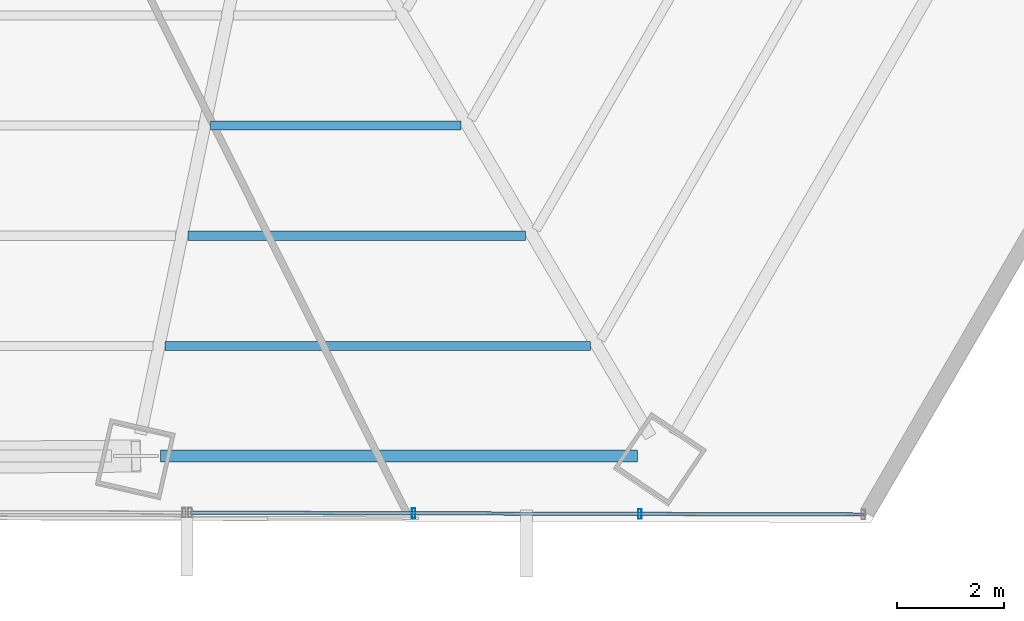
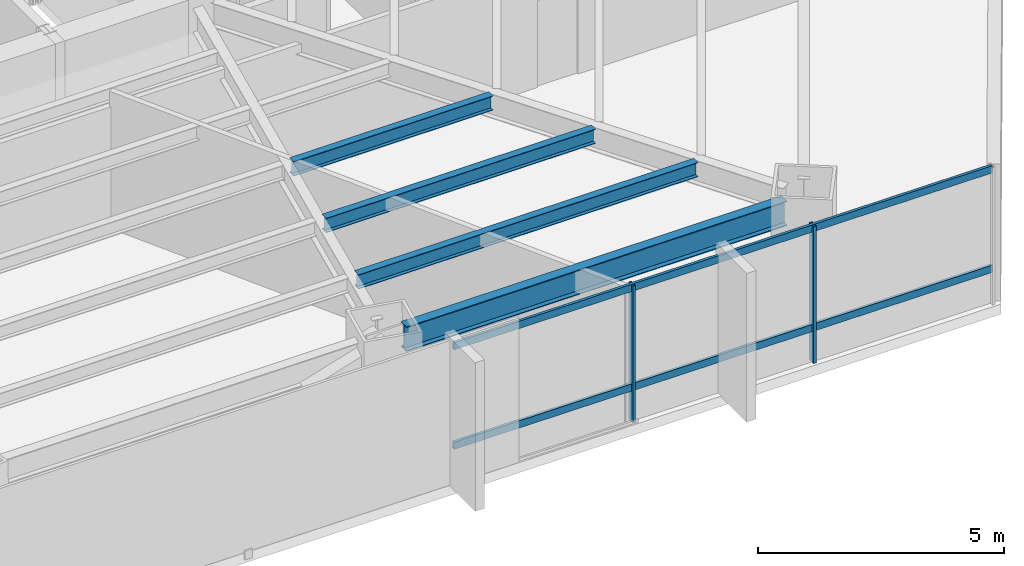
# One storey, part 12 of 33: 4 beams, 4 members, 1 element without a shape of its own.
"""IFC4 building model written with IfcOpenShell, lengths in metres."""

from ifc_helpers import new_model, si_unit, direction, frame, origin, origin_2d, place, context, subcontext, project, spatial, hollow_rectangle, i_section, extrude, source, transform, mapped, material, material_profile, profile_set, type_object, type_shapes, element, aggregate, save


model = new_model("IFC4")

# Units and contexts
model_context = context("Model", 3, precision=1e-05, world=origin(), true_north=direction((0.0, 1.0)))
body_context = subcontext(model_context, "Body", "Model", "MODEL_VIEW")
ifc_project = project(units=[si_unit("LENGTHUNIT", "METRE"), si_unit("AREAUNIT", "SQUARE_METRE"), si_unit("VOLUMEUNIT", "CUBIC_METRE"), si_unit("PLANEANGLEUNIT", "RADIAN"), si_unit("MASSUNIT", "GRAM", prefix="KILO")], contexts=[model_context])

# Site, building, storey
site_placement = place(None, origin())
site = spatial("IfcSite", under=ifc_project, at=site_placement, CompositionType="ELEMENT")
building_placement = place(site_placement, origin())
building = spatial("IfcBuilding", under=site, at=building_placement, Name="Caelisora Broadcast Tower", CompositionType="ELEMENT")
storey_placement = place(building_placement, frame((0.0, 0.0, 34.89990234375)))
storey = spatial("IfcBuildingStorey", under=building, at=storey_placement, Name="L08", CompositionType="ELEMENT", Elevation=34.89990234375)

# Beams
ifc_material_1 = material(Name="Steel Grade 350 (AS/NZS 3679.1)", Category="steel")
ifc_material_profile_1 = material_profile(ifc_material_1, i_section(OverallWidth=0.22900390625, OverallDepth=0.611572265625, WebThickness=0.011962890625, FlangeThickness=0.01953125, at=origin_2d()), Name="Steel Grade 350 (AS/NZS 3679.1)")
ifc_profile_set_1 = profile_set([ifc_material_profile_1], Name="Steel Grade 350 (AS/NZS 3679.1)")
beam_type_1 = type_object("IfcBeamType", Name="PG03", PredefinedType="BEAM", material=ifc_profile_set_1)
shared_shape_1 = source(origin(), body_context, "Body", "SweptSolid", [
    extrude(i_section(OverallWidth=0.22900390625, OverallDepth=0.611572265625, WebThickness=0.011962890625, FlangeThickness=0.01953125, at=origin_2d()), origin(), (0.0, 0.0, 1.0), 8.93310546875),
])
type_shapes(beam_type_1, [shared_shape_1])
beam_1_placement = place(storey_placement, frame((43.38671875, 5.016845703125, 3.09423828125), z_axis=(1.0, 0.0, 0.0), x_axis=(0.0, 1.0, 0.0)))
element("IfcBeam", 1, at=beam_1_placement, inside=storey, type_object=beam_type_1, Name="L08 beam PG03", PredefinedType="BEAM", context=body_context, shape_type="MappedRepresentation", body=[
    mapped(shared_shape_1, transform((0.0, 0.0, 0.0), scale=1.0)),
])
ifc_material_profile_2 = material_profile(ifc_material_1, i_section(OverallWidth=0.172119140625, OverallDepth=0.358642578125, WebThickness=0.008056640625, FlangeThickness=0.012939453125, at=origin_2d()), Name="Steel Grade 350 (AS/NZS 3679.1)")
ifc_profile_set_2 = profile_set([ifc_material_profile_2], Name="Steel Grade 350 (AS/NZS 3679.1)")
beam_type_2 = type_object("IfcBeamType", Name="SB02", PredefinedType="JOIST", material=ifc_profile_set_2)
shared_shape_2 = source(origin(), body_context, "Body", "SweptSolid", [
    extrude(i_section(OverallWidth=0.172119140625, OverallDepth=0.358642578125, WebThickness=0.008056640625, FlangeThickness=0.012939453125, at=origin_2d()), origin(), (0.0, 0.0, 1.0), 4.68408203125),
])
beam_2_placement = place(storey_placement, frame((44.32666015625, 11.20849609375, 3.220703125), z_axis=(1.0, 0.0, 0.0), x_axis=(0.0, 1.0, 0.0)))
element("IfcBeam", 2, at=beam_2_placement, inside=storey, type_object=beam_type_2, Name="L08 beam SB02", PredefinedType="JOIST", context=body_context, shape_type="MappedRepresentation", body=[
    mapped(shared_shape_2, transform((0.0, 0.0, 0.0), scale=1.0)),
])
shared_shape_3 = source(origin(), body_context, "Body", "SweptSolid", [
    extrude(i_section(OverallWidth=0.172119140625, OverallDepth=0.358642578125, WebThickness=0.008056640625, FlangeThickness=0.012939453125, at=origin_2d()), origin(), (0.0, 0.0, 1.0), 6.326416015625),
])
beam_3_placement = place(storey_placement, frame((43.897705078125, 9.14453125, 3.220703125), z_axis=(1.0, 0.0, 0.0), x_axis=(0.0, 1.0, 0.0)))
element("IfcBeam", 3, at=beam_3_placement, inside=storey, type_object=beam_type_2, Name="L08 beam SB02", PredefinedType="JOIST", context=body_context, shape_type="MappedRepresentation", body=[
    mapped(shared_shape_3, transform((0.0, 0.0, 0.0), scale=1.0)),
])
shared_shape_4 = source(origin(), body_context, "Body", "SweptSolid", [
    extrude(i_section(OverallWidth=0.172119140625, OverallDepth=0.358642578125, WebThickness=0.008056640625, FlangeThickness=0.012939453125, at=origin_2d()), origin(), (0.0, 0.0, 1.0), 7.96826171875),
])
type_shapes(beam_type_2, [shared_shape_2, shared_shape_3, shared_shape_4])
beam_4_placement = place(storey_placement, frame((43.468994140625, 7.080810546875, 3.220703125), z_axis=(1.0, 0.0, 0.0), x_axis=(0.0, 1.0, 0.0)))
element("IfcBeam", 4, at=beam_4_placement, inside=storey, type_object=beam_type_2, Name="L08 beam SB02", PredefinedType="JOIST", context=body_context, shape_type="MappedRepresentation", body=[
    mapped(shared_shape_4, transform((0.0, 0.0, 0.0), scale=1.0)),
])

# Curtain wall, members
ifc_material_2 = material(Name="Unitised Aluminium and Low-E Glass Curtain Wall", Category="glass")
curtain_wall_type = type_object("IfcCurtainWallType", Name="CW-Z1", PredefinedType="NOTDEFINED", material=ifc_material_2)
curtain_wall_placement = place(storey_placement, origin())
curtain_wall = element("IfcCurtainWall", 5, at=curtain_wall_placement, inside=storey, type_object=curtain_wall_type, Name="L08 curtain wall CW-Z1", PredefinedType="NOTDEFINED")
ifc_material_3 = material(Name="Aluminium 6063-T6 Anodised Terracotta Bronze", Category="aluminium")
ifc_material_profile_3 = material_profile(ifc_material_3, hollow_rectangle(XDim=0.06494140625, YDim=0.179931640625, WallThickness=0.00341796875, at=origin_2d()), Name="Aluminium 6063-T6 Anodised Terracotta Bronze")
ifc_profile_set_3 = profile_set([ifc_material_profile_3], Name="Aluminium 6063-T6 Anodised Terracotta Bronze")
member_type_1 = type_object("IfcMemberType", Name="CWM-02", PredefinedType="MULLION", material=ifc_profile_set_3)
shared_shape_5 = source(origin(), body_context, "Body", "SweptSolid", [
    extrude(hollow_rectangle(XDim=0.06494140625, YDim=0.179931640625, WallThickness=0.00341796875, at=origin_2d()), origin(), (0.0, 0.0, 1.0), 3.400146484375),
])
type_shapes(member_type_1, [shared_shape_5])
member_1_placement = place(storey_placement, frame((52.364501953125, 3.93359375, 0.0), z_axis=(0.0, 0.0, 1.0), x_axis=(1.0, 0.0, 0.0)))
member_1 = element("IfcMember", 6, at=member_1_placement, type_object=member_type_1, Name="L08-CW-B05 mullion #1", PredefinedType="MULLION", context=body_context, shape_type="MappedRepresentation", body=[
    mapped(shared_shape_5, transform((0.0, 0.0, 0.0), scale=1.0)),
])
member_2_placement = place(storey_placement, frame((48.1259765625, 3.9453125, 0.0), z_axis=(0.0, 0.0, 1.0), x_axis=(1.0, 0.0, 0.0)))
member_2 = element("IfcMember", 7, at=member_2_placement, type_object=member_type_1, Name="L08-CW-B05 mullion #2", PredefinedType="MULLION", context=body_context, shape_type="MappedRepresentation", body=[
    mapped(shared_shape_5, transform((0.0, 0.0, 0.0), scale=1.0)),
])
ifc_material_profile_4 = material_profile(ifc_material_3, hollow_rectangle(XDim=0.06494140625, YDim=0.179931640625, WallThickness=0.00341796875, at=origin_2d()), Name="Aluminium 6063-T6 Anodised Terracotta Bronze")
ifc_profile_set_4 = profile_set([ifc_material_profile_4], Name="Aluminium 6063-T6 Anodised Terracotta Bronze")
member_type_2 = type_object("IfcMemberType", Name="CWT-01", PredefinedType="USERDEFINED", material=ifc_profile_set_4)
shared_shape_6 = source(origin(), body_context, "Body", "SweptSolid", [
    extrude(hollow_rectangle(XDim=0.06494140625, YDim=0.179931640625, WallThickness=0.00341796875, at=origin_2d()), origin(), (0.0, 0.0, 1.0), 12.615478515625),
])
type_shapes(member_type_2, [shared_shape_6])
member_3_placement = place(storey_placement, frame((56.552978515625, 3.922119140625, 0.85009765625), z_axis=(-0.999996170763, 0.002767392108, 0.0), x_axis=(-0.002767392108, -0.999996170763, 0.0)))
member_3 = element("IfcMember", 8, at=member_3_placement, type_object=member_type_2, Name="L08-CW-B05 transom #1", ObjectType="TRANSOM", PredefinedType="USERDEFINED", context=body_context, shape_type="MappedRepresentation", body=[
    mapped(shared_shape_6, transform((0.0, 0.0, 0.0), scale=1.0)),
])
member_4_placement = place(storey_placement, frame((56.552978515625, 3.922119140625, 3.320068359375), z_axis=(-0.999996170763, 0.002767392108, 0.0), x_axis=(-0.002767392108, -0.999996170763, 0.0)))
member_4 = element("IfcMember", 9, at=member_4_placement, type_object=member_type_2, Name="L08-CW-B05 transom #2", ObjectType="TRANSOM", PredefinedType="USERDEFINED", context=body_context, shape_type="MappedRepresentation", body=[
    mapped(shared_shape_6, transform((0.0, 0.0, 0.0), scale=1.0)),
])
aggregate(curtain_wall, [member_1, member_2, member_3, member_4])

save(model, "model.ifc")
